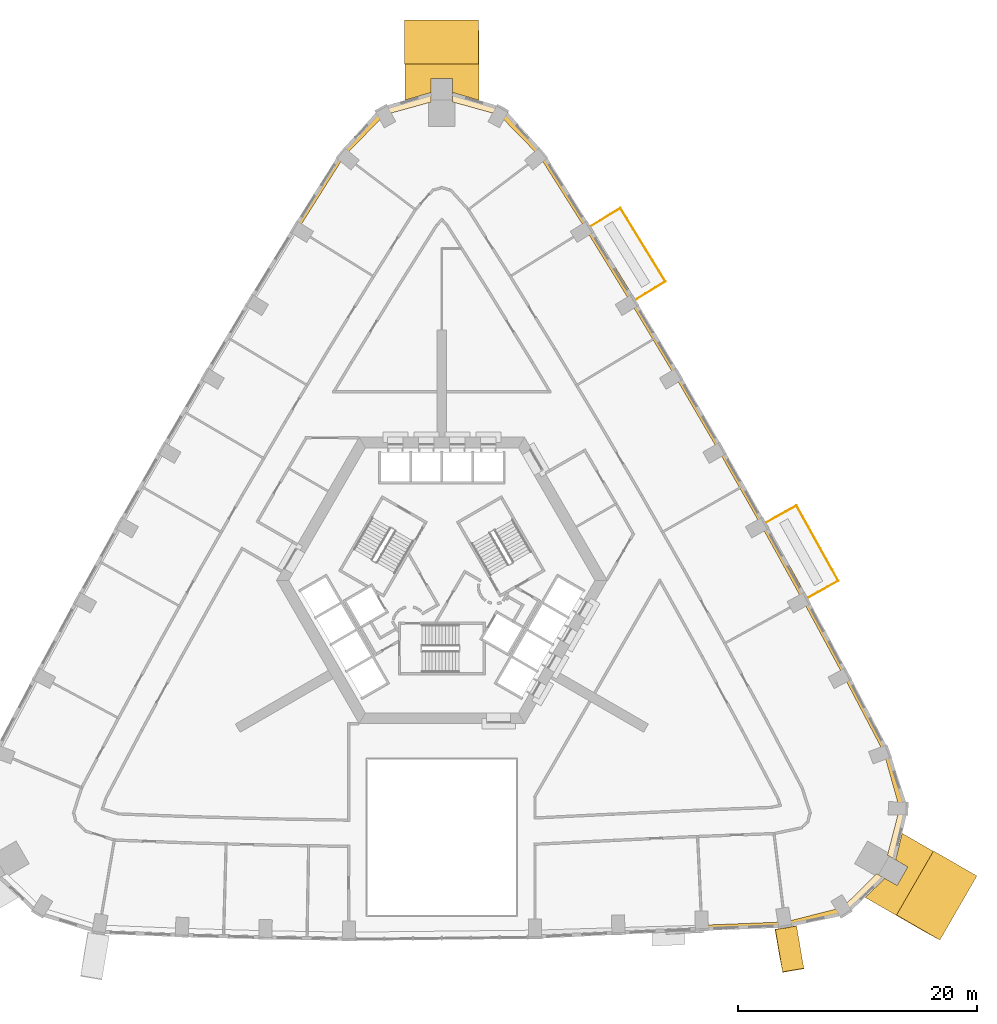
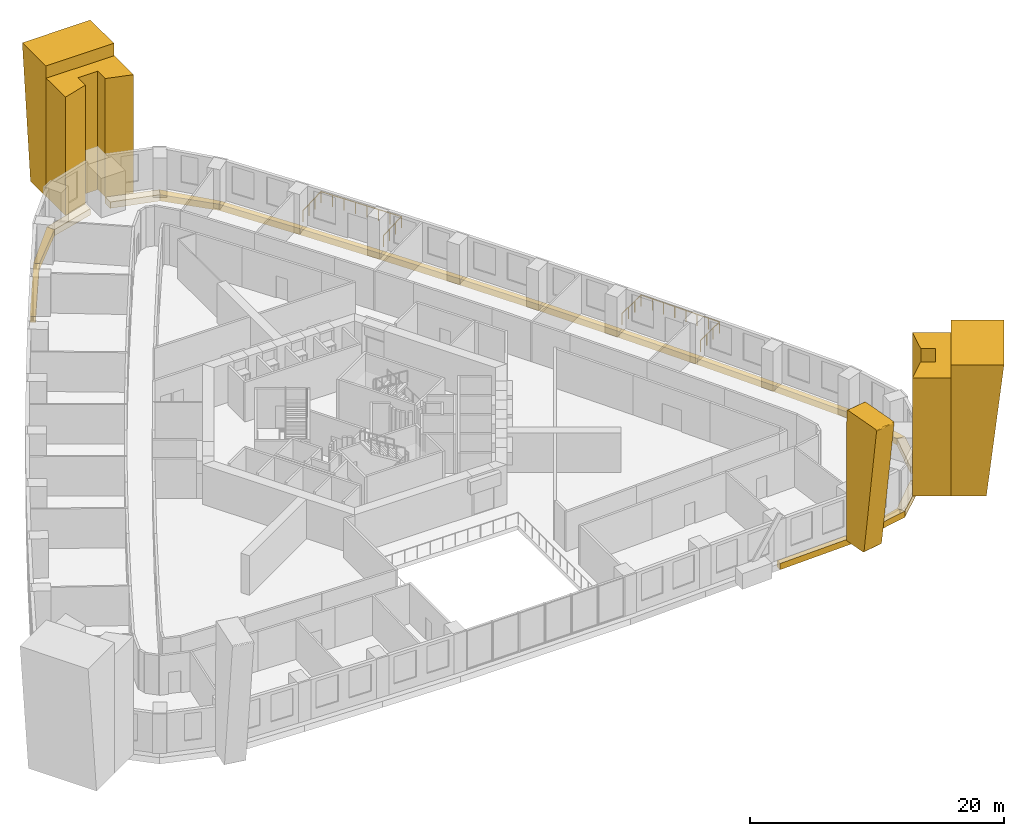
# One storey, part 15 of 15: 23 coverings, 2 railings.
"""IFC4 building model written with IfcOpenShell, lengths in metres."""

from ifc_helpers import new_model, si_unit, direction, frame, origin, origin_2d, place, context, subcontext, project, spatial, polyline, circle, outline, extrude, material, type_object, element, save


model = new_model("IFC4")

# Units and contexts
model_context = context("Model", 3, precision=1e-05, world=origin(), true_north=direction((0.0, 1.0)))
body_context = subcontext(model_context, "Body", "Model", "MODEL_VIEW")
ifc_project = project(units=[si_unit("LENGTHUNIT", "METRE"), si_unit("AREAUNIT", "SQUARE_METRE"), si_unit("VOLUMEUNIT", "CUBIC_METRE"), si_unit("PLANEANGLEUNIT", "RADIAN"), si_unit("MASSUNIT", "GRAM", prefix="KILO")], contexts=[model_context])

# Site, building, storey
site_placement = place(None, origin())
site = spatial("IfcSite", under=ifc_project, at=site_placement, CompositionType="ELEMENT")
building_placement = place(site_placement, origin())
building = spatial("IfcBuilding", under=site, at=building_placement, Name="Entoto Arch Interchange Tower", CompositionType="ELEMENT")
storey_placement = place(building_placement, frame((0.0, 0.0, 111.800048828125)))
storey = spatial("IfcBuildingStorey", under=building, at=storey_placement, Name="L24", CompositionType="ELEMENT", Elevation=111.800048828125)

# Railings
ifc_material_1 = material(Name="Stainless steel 1.4301", Category="steel")
railing_type = type_object("IfcRailingType", Name="GUARD 1100 STEEL AND GLASS", PredefinedType="GUARDRAIL", material=ifc_material_1)
railing_1_placement = place(storey_placement, frame((30.6279296875, 1.035888671875, 0.0)))
element("IfcRailing", 1, at=railing_1_placement, inside=storey, type_object=railing_type, Name="Balcony guard NE-03 L24", PredefinedType="GUARDRAIL", context=body_context, shape_type="SweptSolid", body=[
    extrude(circle(Radius=0.02392578125, at=origin_2d()), frame((0.0, 0.0, 1.076171875), z_axis=(0.874118242635, 0.485713184804, 0.0), x_axis=(-0.485713184804, 0.874118242635, 0.0)), (0.0, 0.0, 1.0), 2.950439453125),
    extrude(circle(Radius=0.02392578125, at=origin_2d()), frame((2.5791015625, 1.43310546875, 1.076171875), z_axis=(-0.485789575245, 0.874075791098, 0.0), x_axis=(-0.874075791098, -0.485789575245, 0.0)), (0.0, 0.0, 1.0), 7.208740234375),
    extrude(circle(Radius=0.02392578125, at=origin_2d()), frame((-0.9228515625, 7.734130859375, 1.076171875), z_axis=(-0.874118242635, -0.485713184804, 0.0), x_axis=(0.485713184804, -0.874118242635, 0.0)), (0.0, 0.0, 1.0), 2.950439453125),
    extrude(circle(Radius=0.02099609375, at=origin_2d()), origin(), (0.0, 0.0, 1.0), 1.052001953125),
    extrude(circle(Radius=0.02099609375, at=origin_2d()), frame((0.859619140625, 0.477783203125, 0.0)), (0.0, 0.0, 1.0), 1.052001953125),
    extrude(circle(Radius=0.02099609375, at=origin_2d()), frame((1.719482421875, 0.955322265625, 0.0)), (0.0, 0.0, 1.0), 1.052001953125),
    extrude(circle(Radius=0.02099609375, at=origin_2d()), frame((2.5791015625, 1.43310546875, 0.0)), (0.0, 0.0, 1.0), 1.052001953125),
    extrude(circle(Radius=0.02099609375, at=origin_2d()), frame((2.078857421875, 2.333251953125, 0.0)), (0.0, 0.0, 1.0), 1.052001953125),
    extrude(circle(Radius=0.02099609375, at=origin_2d()), frame((1.57861328125, 3.2333984375, 0.0)), (0.0, 0.0, 1.0), 1.052001953125),
    extrude(circle(Radius=0.02099609375, at=origin_2d()), frame((1.078369140625, 4.133544921875, 0.0)), (0.0, 0.0, 1.0), 1.052001953125),
    extrude(circle(Radius=0.02099609375, at=origin_2d()), frame((0.577880859375, 5.03369140625, 0.0)), (0.0, 0.0, 1.0), 1.052001953125),
    extrude(circle(Radius=0.02099609375, at=origin_2d()), frame((0.07763671875, 5.933837890625, 0.0)), (0.0, 0.0, 1.0), 1.052001953125),
    extrude(circle(Radius=0.02099609375, at=origin_2d()), frame((-0.422607421875, 6.833984375, 0.0)), (0.0, 0.0, 1.0), 1.052001953125),
    extrude(circle(Radius=0.02099609375, at=origin_2d()), frame((-0.9228515625, 7.734130859375, 0.0)), (0.0, 0.0, 1.0), 1.052001953125),
    extrude(circle(Radius=0.02099609375, at=origin_2d()), frame((-1.782470703125, 7.25634765625, 0.0)), (0.0, 0.0, 1.0), 1.052001953125),
    extrude(circle(Radius=0.02099609375, at=origin_2d()), frame((-2.642333984375, 6.77880859375, 0.0)), (0.0, 0.0, 1.0), 1.052001953125),
    extrude(circle(Radius=0.02099609375, at=origin_2d()), frame((-3.501953125, 6.301025390625, 0.0)), (0.0, 0.0, 1.0), 1.052001953125),
])
railing_2_placement = place(storey_placement, frame((16.2109375, 26.007080078125, 0.0)))
element("IfcRailing", 2, at=railing_2_placement, inside=storey, type_object=railing_type, Name="Balcony guard NE-07 L24", PredefinedType="GUARDRAIL", context=body_context, shape_type="SweptSolid", body=[
    extrude(circle(Radius=0.02392578125, at=origin_2d()), frame((0.0, 0.0, 1.076171875), z_axis=(0.852146625797, 0.523303093954, 0.0), x_axis=(-0.523303093954, 0.852146625797, 0.0)), (0.0, 0.0, 1.0), 2.950439453125),
    extrude(circle(Radius=0.02392578125, at=origin_2d()), frame((2.51416015625, 1.5439453125, 1.076171875), z_axis=(-0.523377361383, 0.852101013725, 0.0), x_axis=(-0.852101013725, -0.523377361383, 0.0)), (0.0, 0.0, 1.0), 7.209228515625),
    extrude(circle(Radius=0.02392578125, at=origin_2d()), frame((-1.259033203125, 7.68701171875, 1.076171875), z_axis=(-0.852087058002, -0.523400081758, 0.0), x_axis=(0.523400081758, -0.852087058002, 0.0)), (0.0, 0.0, 1.0), 2.9501953125),
    extrude(circle(Radius=0.02099609375, at=origin_2d()), origin(), (0.0, 0.0, 1.0), 1.052001953125),
    extrude(circle(Radius=0.02099609375, at=origin_2d()), frame((0.838134765625, 0.5146484375, 0.0)), (0.0, 0.0, 1.0), 1.052001953125),
    extrude(circle(Radius=0.02099609375, at=origin_2d()), frame((1.676025390625, 1.029296875, 0.0)), (0.0, 0.0, 1.0), 1.052001953125),
    extrude(circle(Radius=0.02099609375, at=origin_2d()), frame((2.51416015625, 1.5439453125, 0.0)), (0.0, 0.0, 1.0), 1.052001953125),
    extrude(circle(Radius=0.02099609375, at=origin_2d()), frame((1.97509765625, 2.421630859375, 0.0)), (0.0, 0.0, 1.0), 1.052001953125),
    extrude(circle(Radius=0.02099609375, at=origin_2d()), frame((1.43603515625, 3.299072265625, 0.0)), (0.0, 0.0, 1.0), 1.052001953125),
    extrude(circle(Radius=0.02099609375, at=origin_2d()), frame((0.89697265625, 4.1767578125, 0.0)), (0.0, 0.0, 1.0), 1.052001953125),
    extrude(circle(Radius=0.02099609375, at=origin_2d()), frame((0.358154296875, 5.05419921875, 0.0)), (0.0, 0.0, 1.0), 1.052001953125),
    extrude(circle(Radius=0.02099609375, at=origin_2d()), frame((-0.180908203125, 5.931884765625, 0.0)), (0.0, 0.0, 1.0), 1.052001953125),
    extrude(circle(Radius=0.02099609375, at=origin_2d()), frame((-0.719970703125, 6.809326171875, 0.0)), (0.0, 0.0, 1.0), 1.052001953125),
    extrude(circle(Radius=0.02099609375, at=origin_2d()), frame((-1.259033203125, 7.68701171875, 0.0)), (0.0, 0.0, 1.0), 1.052001953125),
    extrude(circle(Radius=0.02099609375, at=origin_2d()), frame((-2.096923828125, 7.17236328125, 0.0)), (0.0, 0.0, 1.0), 1.052001953125),
    extrude(circle(Radius=0.02099609375, at=origin_2d()), frame((-2.93505859375, 6.657470703125, 0.0)), (0.0, 0.0, 1.0), 1.052001953125),
    extrude(circle(Radius=0.02099609375, at=origin_2d()), frame((-3.77294921875, 6.142822265625, 0.0)), (0.0, 0.0, 1.0), 1.052001953125),
])

# Coverings
ifc_material_2 = material(Name="Board-marked precast concrete C50/60", Category="concrete")
covering_type_1 = type_object("IfcCoveringType", Name="PRECAST FRAME COURSE", PredefinedType="CLADDING", material=ifc_material_2)
covering_1_placement = place(storey_placement, frame((0.0, 0.0, -0.400146484375)))
element("IfcCovering", 3, at=covering_1_placement, inside=storey, type_object=covering_type_1, Name="Corner pilaster SE L24-L26", PredefinedType="CLADDING", context=body_context, shape_type="SweptSolid", body=[
    extrude(outline(polyline([(41.169921875, -20.18994140625), (38.070068359375, -25.56005859375), (35.452880859375, -24.049072265625), (37.118896484375, -22.470947265625), (38.1298828125, -23.053955078125), (39.030029296875, -21.49609375), (38.01904296875, -20.912109375), (38.553955078125, -18.679931640625), (41.169921875, -20.18994140625)])), origin(), (0.0, 0.0, 1.0), 11.400146484375),
])
covering_2_placement = place(storey_placement, frame((0.0, 0.0, -0.400146484375)))
element("IfcCovering", 4, at=covering_2_placement, inside=storey, type_object=covering_type_1, Name="Corner pilaster N L24-L26", PredefinedType="CLADDING", context=body_context, shape_type="SweptSolid", body=[
    extrude(outline(polyline([(-3.10009765625, 45.7490234375), (3.10009765625, 45.7490234375), (3.10009765625, 42.72802734375), (0.89990234375, 43.382080078125), (0.89990234375, 44.549072265625), (-0.89990234375, 44.549072265625), (-0.89990234375, 43.382080078125), (-3.10009765625, 42.72802734375), (-3.10009765625, 45.7490234375)])), origin(), (0.0, 0.0, 1.0), 11.400146484375),
])
covering_3_placement = place(storey_placement, frame((38.070068359375, -25.56005859375, -0.400146484375), z_axis=(-0.500013129914, -0.866012553038, 0.003021240483), x_axis=(0.866016505495, -0.500015411972, -3.552e-09)))
element("IfcCovering", 5, at=covering_3_placement, inside=storey, type_object=covering_type_1, Name="Corner rib SE L24-L26", PredefinedType="CLADDING", context=body_context, shape_type="SweptSolid", body=[
    extrude(outline(polyline([(0.0, 0.0), (2.8036188092517134, 0.0), (4.193735579260253, 12.600155177719857), (1.1480340053876508e-05, 12.600155152862362), (0.0, 0.0)])), origin(), (0.0, 0.0, -1.0), 6.199951171875),
])
covering_4_placement = place(storey_placement, frame((3.10009765625, 45.7490234375, -0.400146484375), z_axis=(0.999995431764, 0.0, 0.003022656217), x_axis=(0.0, 1.0, 0.0)))
element("IfcCovering", 6, at=covering_4_placement, inside=storey, type_object=covering_type_1, Name="Corner rib N L24-L26", PredefinedType="CLADDING", context=body_context, shape_type="SweptSolid", body=[
    extrude(outline(polyline([(0.0, 0.0), (2.473876953125, 0.0), (3.700927734375, 12.600155216729355), (0.0, 12.600155216729355), (0.0, 0.0)])), origin(), (0.0, 0.0, -1.0), 6.199951171875),
])
covering_5_placement = place(storey_placement, frame((27.922119140625, -26.8720703125, -0.400146484375), z_axis=(-0.985773185324, -0.168054833713, 0.002966472982), x_axis=(-0.166778951973, 0.980176967821, 0.106948085219)))
element("IfcCovering", 7, at=covering_5_placement, inside=storey, type_object=covering_type_1, Name="Fold rib S08 L24-L26", PredefinedType="CLADDING", context=body_context, shape_type="SweptSolid", body=[
    extrude(outline(polyline([(0.0, 0.0), (0.029671323796381675, -4.336808689942018e-19), (0.057883619009907204, -0.004822089531542857), (0.08545612626461245, -0.016098785064293727), (0.10968130716855405, -0.03264525437072518), (0.13133048926725496, -0.053398263481519534), (0.14710688280815293, -0.07773008642525618), (0.15912658334952548, -0.10467684438408273), (0.16526819994200898, -0.13323501248879668), (1.4805283329784915, -12.36281820498914), (1.4790828044960733, -12.407172123695538), (1.4708606595269251, -12.435067045033001), (1.4564452059706172, -12.460927060286723), (1.4274532806058615, -12.49424702276232), (1.390035525980682, -12.517179587736383), (1.3473904981942477, -12.527904696743665), (-2.005238931338022, -12.888532584484636), (-2.0504139933727483, -12.886272635073823), (-2.0928506669302993, -12.871930917871834), (-2.1169129777639553, -12.855364057148245), (-2.1376310661648863, -12.834265836265407), (-2.161145587928875, -12.795787760257909), (-2.169201612661634, -12.767434537093381), (-2.1714559843927526, -12.737475130483332), (-1.9984127744371258, -0.3338052011286063), (-1.9923984595403788, -0.30492191963873444), (-1.9809329493115877, -0.27864110388943986), (-1.9550215191361886, -0.24368664440851565), (-1.9202858889522563, -0.2176066836820097), (-1.8790158311938465, -0.20310021831360833), (0.0, 0.0)])), origin(), (0.0, 0.0, -1.0), 1.800048828125),
])
covering_type_2 = type_object("IfcCoveringType", Name="PRECAST LEDGE COURSE", PredefinedType="CLADDING", material=ifc_material_2)
covering_6_placement = place(storey_placement, frame((0.0, 0.0, -1.0)))
element("IfcCovering", 8, at=covering_6_placement, inside=storey, type_object=covering_type_2, Name="Precast course S-07 L24", PredefinedType="CLADDING", context=body_context, shape_type="SweptSolid", body=[
    extrude(outline(polyline([(28.783935546875, -26.10107421875), (28.783935546875, -26.572998046875), (21.7890625, -26.841064453125), (21.7890625, -26.3779296875), (28.783935546875, -26.10107421875)])), origin(), (0.0, 0.0, 1.0), 0.599853515625),
])
covering_7_placement = place(storey_placement, frame((0.0, 0.0, -1.0)))
element("IfcCovering", 9, at=covering_7_placement, inside=storey, type_object=covering_type_2, Name="Precast course SE-01 L24", PredefinedType="CLADDING", context=body_context, shape_type="SweptSolid", body=[
    extrude(outline(polyline([(33.5458984375, -24.90087890625), (33.9150390625, -25.506103515625), (28.783935546875, -26.572998046875), (28.783935546875, -26.10107421875), (33.5458984375, -24.90087890625)])), origin(), (0.0, 0.0, 1.0), 0.599853515625),
])
covering_8_placement = place(storey_placement, frame((0.0, 0.0, -1.0)))
element("IfcCovering", 10, at=covering_8_placement, inside=storey, type_object=covering_type_2, Name="Precast course SE-02 L24", PredefinedType="CLADDING", context=body_context, shape_type="SweptSolid", body=[
    extrude(outline(polyline([(36.423095703125, -22.069091796875), (37.118896484375, -22.470947265625), (33.9150390625, -25.506103515625), (33.5458984375, -24.90087890625), (36.423095703125, -22.069091796875)])), origin(), (0.0, 0.0, 1.0), 0.599853515625),
])
covering_9_placement = place(storey_placement, frame((0.0, 0.0, -1.0)))
element("IfcCovering", 11, at=covering_9_placement, inside=storey, type_object=covering_type_2, Name="Precast course SE-03 L24", PredefinedType="CLADDING", context=body_context, shape_type="SweptSolid", body=[
    extrude(outline(polyline([(38.337890625, -16.60205078125), (39.047119140625, -16.617919921875), (38.01904296875, -20.912109375), (37.323974609375, -20.510009765625), (38.337890625, -16.60205078125)])), origin(), (0.0, 0.0, 1.0), 0.599853515625),
])
covering_10_placement = place(storey_placement, frame((0.0, 0.0, -1.0)))
element("IfcCovering", 12, at=covering_10_placement, inside=storey, type_object=covering_type_2, Name="Precast course SE-04 L24", PredefinedType="CLADDING", context=body_context, shape_type="SweptSolid", body=[
    extrude(outline(polyline([(37.031982421875, -11.947998046875), (37.47900390625, -11.782958984375), (39.047119140625, -16.617919921875), (38.337890625, -16.60205078125), (37.031982421875, -11.947998046875)])), origin(), (0.0, 0.0, 1.0), 0.599853515625),
])
covering_11_placement = place(storey_placement, frame((0.0, 0.0, -1.0)))
element("IfcCovering", 13, at=covering_11_placement, inside=storey, type_object=covering_type_2, Name="Precast course NE-01 L24", PredefinedType="CLADDING", context=body_context, shape_type="SweptSolid", body=[
    extrude(outline(polyline([(33.653076171875, -5.52099609375), (34.06103515625, -5.303955078125), (37.47900390625, -11.782958984375), (37.031982421875, -11.947998046875), (33.653076171875, -5.52099609375)])), origin(), (0.0, 0.0, 1.0), 0.599853515625),
])
covering_12_placement = place(storey_placement, frame((0.0, 0.0, -1.0)))
element("IfcCovering", 14, at=covering_12_placement, inside=storey, type_object=covering_type_2, Name="Precast course NE-02 L24", PredefinedType="CLADDING", context=body_context, shape_type="SweptSolid", body=[
    extrude(outline(polyline([(30.22802734375, 0.81689453125), (30.6279296875, 1.035888671875), (34.06103515625, -5.303955078125), (33.653076171875, -5.52099609375), (30.22802734375, 0.81689453125)])), origin(), (0.0, 0.0, 1.0), 0.599853515625),
])
covering_13_placement = place(storey_placement, frame((0.0, 0.0, -1.0)))
element("IfcCovering", 15, at=covering_13_placement, inside=storey, type_object=covering_type_2, Name="Precast course NE-03 L24", PredefinedType="CLADDING", context=body_context, shape_type="SweptSolid", body=[
    extrude(outline(polyline([(26.73291015625, 7.115966796875), (27.1259765625, 7.3369140625), (30.6279296875, 1.035888671875), (30.22802734375, 0.81689453125), (26.73291015625, 7.115966796875)])), origin(), (0.0, 0.0, 1.0), 0.599853515625),
])
covering_14_placement = place(storey_placement, frame((0.0, 0.0, -1.0)))
element("IfcCovering", 16, at=covering_14_placement, inside=storey, type_object=covering_type_2, Name="Precast course NE-04 L24", PredefinedType="CLADDING", context=body_context, shape_type="SweptSolid", body=[
    extrude(outline(polyline([(23.166015625, 13.375), (23.555908203125, 13.60009765625), (27.1259765625, 7.3369140625), (26.73291015625, 7.115966796875), (23.166015625, 13.375)])), origin(), (0.0, 0.0, 1.0), 0.599853515625),
])
covering_15_placement = place(storey_placement, frame((0.0, 0.0, -1.0)))
element("IfcCovering", 17, at=covering_15_placement, inside=storey, type_object=covering_type_2, Name="Precast course NE-05 L24", PredefinedType="CLADDING", context=body_context, shape_type="SweptSolid", body=[
    extrude(outline(polyline([(19.529052734375, 19.593017578125), (19.9169921875, 19.822998046875), (23.555908203125, 13.60009765625), (23.166015625, 13.375), (19.529052734375, 19.593017578125)])), origin(), (0.0, 0.0, 1.0), 0.599853515625),
])
covering_16_placement = place(storey_placement, frame((0.0, 0.0, -1.0)))
element("IfcCovering", 18, at=covering_16_placement, inside=storey, type_object=covering_type_2, Name="Precast course NE-06 L24", PredefinedType="CLADDING", context=body_context, shape_type="SweptSolid", body=[
    extrude(outline(polyline([(15.822021484375, 25.77001953125), (16.2109375, 26.007080078125), (19.9169921875, 19.822998046875), (19.529052734375, 19.593017578125), (15.822021484375, 25.77001953125)])), origin(), (0.0, 0.0, 1.0), 0.599853515625),
])
covering_17_placement = place(storey_placement, frame((0.0, 0.0, -1.0)))
element("IfcCovering", 19, at=covering_17_placement, inside=storey, type_object=covering_type_2, Name="Precast course NE-07 L24", PredefinedType="CLADDING", context=body_context, shape_type="SweptSolid", body=[
    extrude(outline(polyline([(12.0458984375, 31.905029296875), (12.43798828125, 32.14990234375), (16.2109375, 26.007080078125), (15.822021484375, 25.77001953125), (12.0458984375, 31.905029296875)])), origin(), (0.0, 0.0, 1.0), 0.599853515625),
])
covering_18_placement = place(storey_placement, frame((0.0, 0.0, -1.0)))
element("IfcCovering", 20, at=covering_18_placement, inside=storey, type_object=covering_type_2, Name="Precast course NE-08 L24", PredefinedType="CLADDING", context=body_context, shape_type="SweptSolid", body=[
    extrude(outline(polyline([(8.1689453125, 38.044921875), (8.534912109375, 38.34912109375), (12.43798828125, 32.14990234375), (12.0458984375, 31.905029296875), (8.1689453125, 38.044921875)])), origin(), (0.0, 0.0, 1.0), 0.599853515625),
])
covering_19_placement = place(storey_placement, frame((0.0, 0.0, -1.0)))
element("IfcCovering", 21, at=covering_19_placement, inside=storey, type_object=covering_type_2, Name="Precast course N-01 L24", PredefinedType="CLADDING", context=body_context, shape_type="SweptSolid", body=[
    extrude(outline(polyline([(4.7919921875, 41.501953125), (5.132080078125, 42.1240234375), (8.534912109375, 38.34912109375), (8.1689453125, 38.044921875), (4.7919921875, 41.501953125)])), origin(), (0.0, 0.0, 1.0), 0.599853515625),
])
covering_20_placement = place(storey_placement, frame((0.0, 0.0, -1.0)))
element("IfcCovering", 22, at=covering_20_placement, inside=storey, type_object=covering_type_2, Name="Precast course N-02 L24", PredefinedType="CLADDING", context=body_context, shape_type="SweptSolid", body=[
    extrude(outline(polyline([(0.89990234375, 42.577880859375), (0.89990234375, 43.382080078125), (5.132080078125, 42.1240234375), (4.7919921875, 41.501953125), (0.89990234375, 42.577880859375)])), origin(), (0.0, 0.0, 1.0), 0.599853515625),
])
covering_21_placement = place(storey_placement, frame((0.0, 0.0, -1.0)))
element("IfcCovering", 23, at=covering_21_placement, inside=storey, type_object=covering_type_2, Name="Precast course N-03 L24", PredefinedType="CLADDING", context=body_context, shape_type="SweptSolid", body=[
    extrude(outline(polyline([(-4.7919921875, 41.501953125), (-5.132080078125, 42.1240234375), (-0.89990234375, 43.382080078125), (-0.89990234375, 42.577880859375), (-4.7919921875, 41.501953125)])), origin(), (0.0, 0.0, 1.0), 0.599853515625),
])
covering_22_placement = place(storey_placement, frame((0.0, 0.0, -1.0)))
element("IfcCovering", 24, at=covering_22_placement, inside=storey, type_object=covering_type_2, Name="Precast course N-04 L24", PredefinedType="CLADDING", context=body_context, shape_type="SweptSolid", body=[
    extrude(outline(polyline([(-8.1689453125, 38.044921875), (-8.534912109375, 38.34912109375), (-5.132080078125, 42.1240234375), (-4.7919921875, 41.501953125), (-8.1689453125, 38.044921875)])), origin(), (0.0, 0.0, 1.0), 0.599853515625),
])
covering_23_placement = place(storey_placement, frame((0.0, 0.0, -1.0)))
element("IfcCovering", 25, at=covering_23_placement, inside=storey, type_object=covering_type_2, Name="Precast course NW-01 L24", PredefinedType="CLADDING", context=body_context, shape_type="SweptSolid", body=[
    extrude(outline(polyline([(-12.0458984375, 31.905029296875), (-12.43798828125, 32.14990234375), (-8.534912109375, 38.34912109375), (-8.1689453125, 38.044921875), (-12.0458984375, 31.905029296875)])), origin(), (0.0, 0.0, 1.0), 0.599853515625),
])

save(model, "model.ifc")
